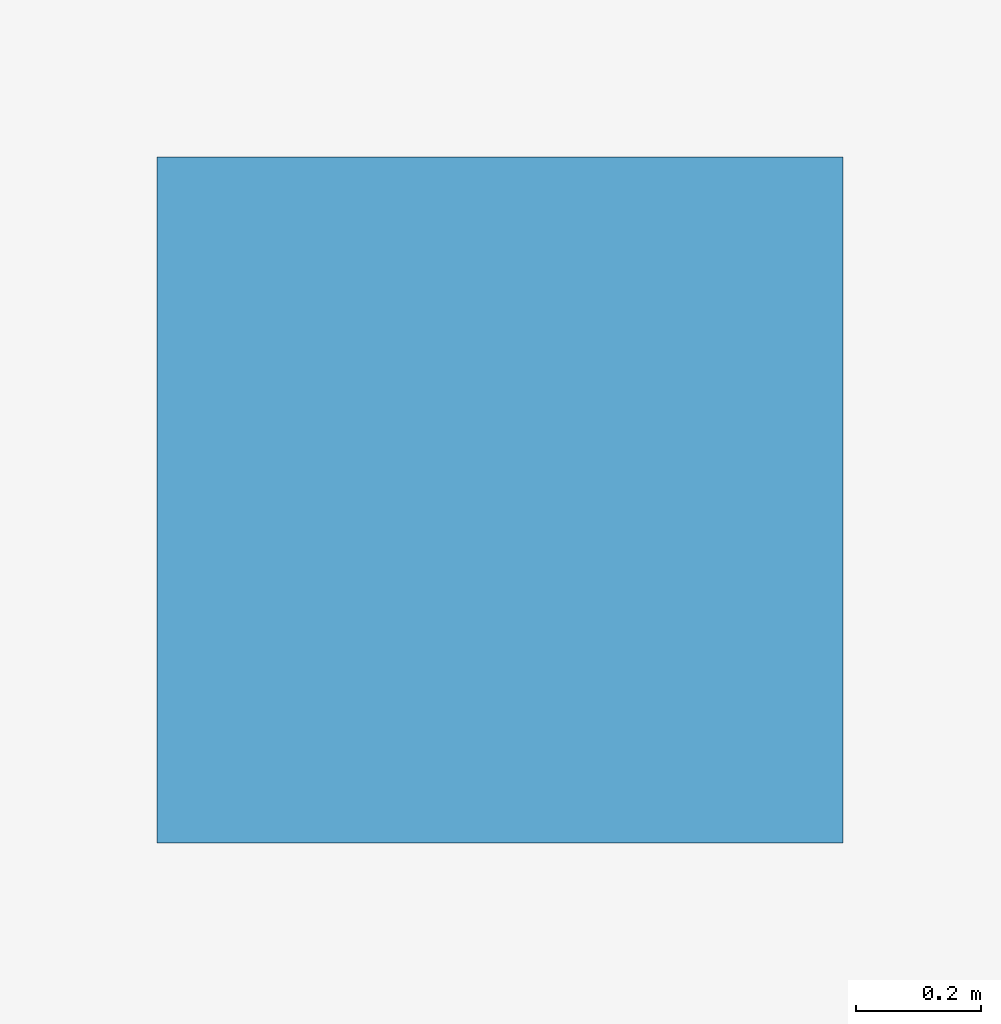
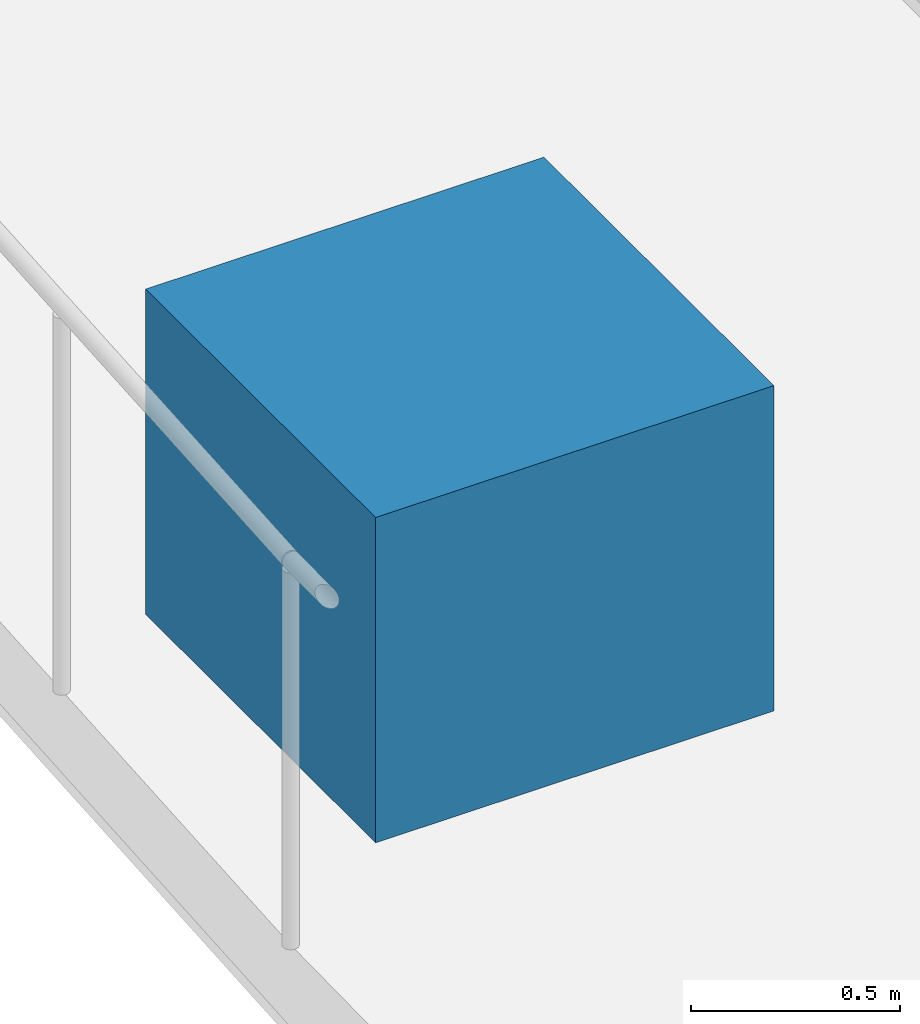
# One storey, part 33 of 41: 1 discrete accessory.
"""IFC4 building model written with IfcOpenShell, lengths in metres."""

from ifc_helpers import new_model, si_unit, direction, frame, origin, origin_2d, place, context, subcontext, project, spatial, rectangle, extrude, source, transform, mapped, material, type_object, element, save


model = new_model("IFC4")

# Units and contexts
model_context = context("Model", 3, precision=1e-05, world=origin(), true_north=direction((0.0, 1.0)))
body_context = subcontext(model_context, "Body", "Model", "MODEL_VIEW")
ifc_project = project(units=[si_unit("LENGTHUNIT", "METRE"), si_unit("AREAUNIT", "SQUARE_METRE"), si_unit("VOLUMEUNIT", "CUBIC_METRE"), si_unit("PLANEANGLEUNIT", "RADIAN"), si_unit("MASSUNIT", "GRAM", prefix="KILO")], contexts=[model_context])

# Site, building, storey
site_placement = place(None, origin())
site = spatial("IfcSite", under=ifc_project, at=site_placement, CompositionType="ELEMENT")
building_placement = place(site_placement, origin())
building = spatial("IfcBuilding", under=site, at=building_placement, Name="Serunith Strait Residences", CompositionType="ELEMENT")
storey_placement = place(building_placement, frame((0.0, 0.0, 45.449951171875)))
storey = spatial("IfcBuildingStorey", under=building, at=storey_placement, Name="L10", CompositionType="ELEMENT", Elevation=45.449951171875)

# Discrete accessory
ifc_material = material(Name="GFRC Root-Anchored Structural Planter")
discrete_accessory_type = type_object("IfcDiscreteAccessoryType", Name="ACC-PLANTER-TREE", PredefinedType="USERDEFINED", material=ifc_material)
shared_shape = source(origin(), body_context, "Body", "SweptSolid", [
    extrude(rectangle(XDim=1.10009765625, YDim=1.10009765625, at=origin_2d()), origin(), (0.0, 0.0, 1.0), 0.949951171875),
])
discrete_accessory_placement = place(storey_placement, frame((3.646240234375, 29.39990234375, -0.0498046875), z_axis=(0.0, 0.0, 1.0), x_axis=(0.0, -1.0, 0.0)))
element("IfcDiscreteAccessory", 1, at=discrete_accessory_placement, inside=storey, type_object=discrete_accessory_type, Name="L10 Vertical-Forest Tree Planter 15", ObjectType="PLANTER", PredefinedType="USERDEFINED", context=body_context, shape_type="MappedRepresentation", body=[
    mapped(shared_shape, transform((0.0, 0.0, 0.0), scale=1.0)),
])

save(model, "model.ifc")
